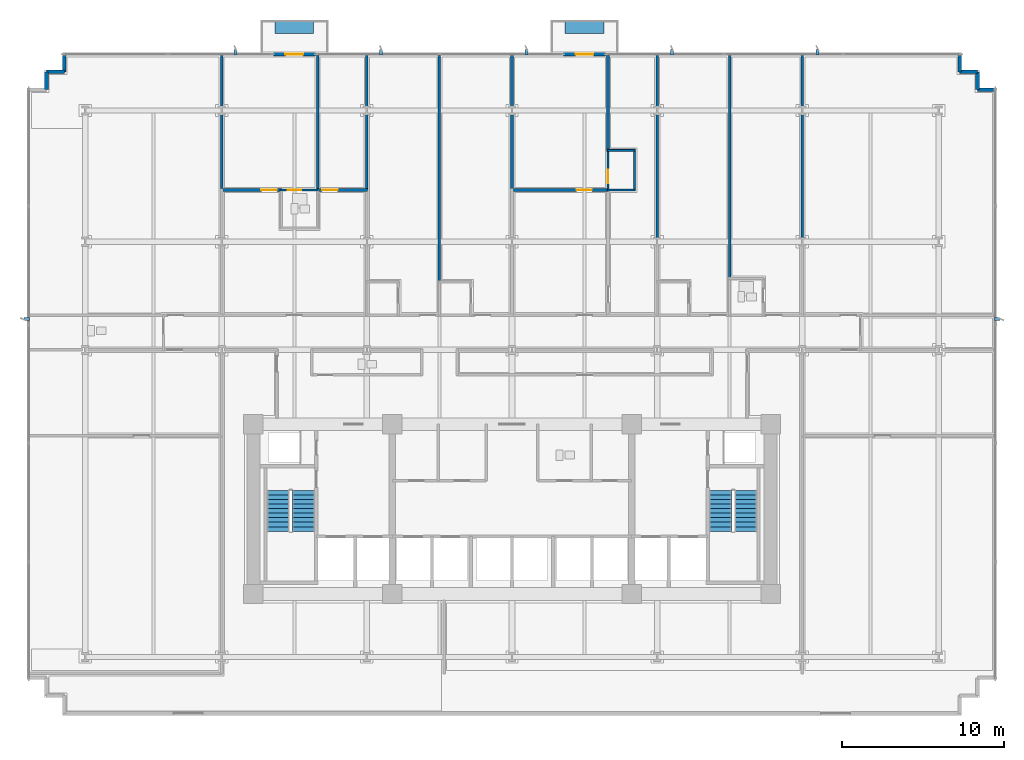
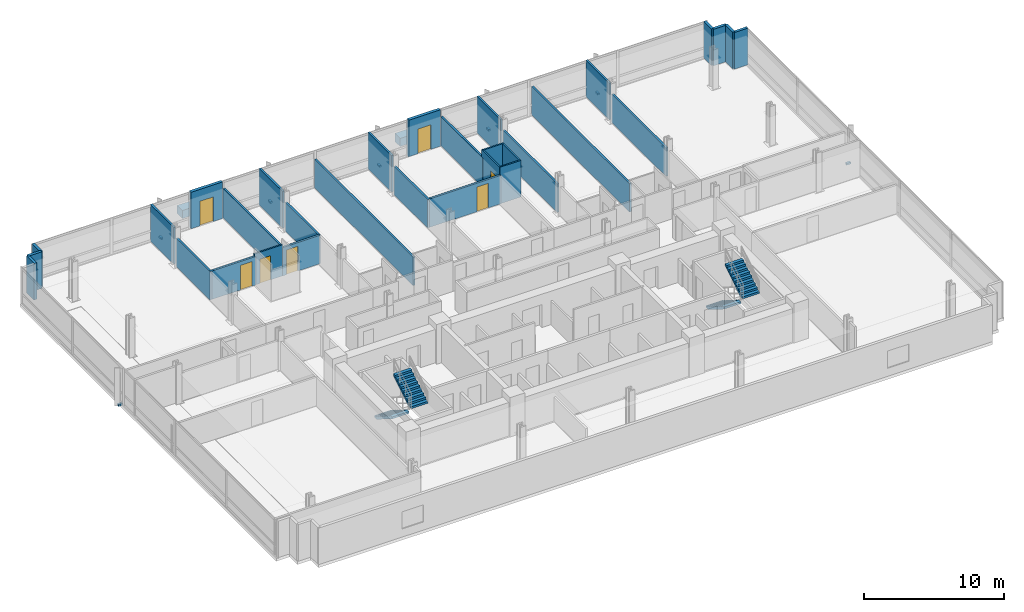
# One storey, part 11 of 16: 31 walls, 9 discrete accessories, 7 doors, 4 stair flights, 7 openings, 2 elements without a shape of their own.
"""IFC4 building model written with IfcOpenShell, lengths in metres."""

from ifc_helpers import new_model, si_unit, direction, frame, frame_2d, origin, origin_2d, place, context, subcontext, project, spatial, polyline, rectangle, outline, extrude, material, layer, layer_set, type_object, element, fill, aggregate, save


model = new_model("IFC4")

# Units and contexts
model_context = context("Model", 3, precision=1e-05, world=origin(), true_north=direction((0.0, 1.0)))
body_context = subcontext(model_context, "Body", "Model", "MODEL_VIEW")
ifc_project = project(units=[si_unit("LENGTHUNIT", "METRE"), si_unit("AREAUNIT", "SQUARE_METRE"), si_unit("VOLUMEUNIT", "CUBIC_METRE"), si_unit("PLANEANGLEUNIT", "RADIAN"), si_unit("MASSUNIT", "GRAM", prefix="KILO")], contexts=[model_context])

# Site, building, storey
site_placement = place(None, origin())
site = spatial("IfcSite", under=ifc_project, at=site_placement, CompositionType="ELEMENT")
building_placement = place(site_placement, origin())
building = spatial("IfcBuilding", under=site, at=building_placement, Name="Solmavex Isthmus Hotel", CompositionType="ELEMENT")
storey_placement = place(building_placement, frame((0.0, 0.0, 67.800048828125)))
storey = spatial("IfcBuildingStorey", under=building, at=storey_placement, Name="L18", CompositionType="ELEMENT", Elevation=67.800048828125)

# Wall, opening, door
ifc_material_1 = material(Name="Precast Concrete C40/50", Category="concrete")
ifc_layer_1 = layer(ifc_material_1, 0.25)
ifc_layer_set_1 = layer_set([ifc_layer_1], Name="Precast Concrete C40/50")
wall_type_1 = type_object("IfcWallType", Name="EW-TWR-250", PredefinedType="STANDARD", material=ifc_layer_set_1)
wall_1_placement = place(storey_placement, frame((-14.763916015625, 20.3798828125, 0.0), z_axis=(0.0, 0.0, 1.0), x_axis=(1.0, 0.0, 0.0)))
wall_1 = element("IfcWall", 1, at=wall_1_placement, inside=storey, type_object=wall_type_1, Name="Exterior Balcony Door Wall L18-2", PredefinedType="STANDARD", context=body_context, shape_type="SweptSolid", body=[
    extrude(rectangle(XDim=2.599853515625, YDim=0.239990234375, at=frame_2d((1.2998046875, 0.0))), origin(), (0.0, 0.0, 1.0), 3.18994140625),
])
opening_1_placement = place(wall_1_placement, frame((0.75, 0.0, 0.0)))
opening_1 = element("IfcOpeningElement", 2, at=opening_1_placement, cuts=wall_1, Name="Opening ED-02", PredefinedType="OPENING", context=body_context, shape_type="SweptSolid", body=[
    extrude(rectangle(XDim=1.10009765625, YDim=2.14990234375, at=frame_2d((0.550048828125, 1.074951171875))), frame((0.0, 0.1298828125, 0.0), z_axis=(0.0, -1.0, 0.0), x_axis=(1.0, 0.0, 0.0)), (0.0, 0.0, 1.0), 0.260009765625),
])
ifc_material_2 = material(Name="Aluminium alloy 6063-T6", Category="aluminium")
door_type_1 = type_object("IfcDoorType", Name="EDR-BALC-1100", OperationType="NOTDEFINED", PredefinedType="DOOR", material=ifc_material_2)
door_1_placement = place(opening_1_placement, origin())
door_1 = element("IfcDoor", 3, at=door_1_placement, inside=storey, type_object=door_type_1, Name="Balcony & Terrace Glazed Door L18-2", OperationType="SINGLE_SWING_RIGHT", OverallHeight=2.14990234375, OverallWidth=1.10009765625, PredefinedType="DOOR", context=body_context, shape_type="SweptSolid", body=[
    extrude(rectangle(XDim=1.10009765625, YDim=2.14990234375, at=frame_2d((0.550048828125, 1.074951171875))), frame((0.0, 0.02490234375, 0.0), z_axis=(0.0, -1.0, 0.0), x_axis=(1.0, 0.0, 0.0)), (0.0, 0.0, 1.0), 0.050048828125),
])
fill(opening_1, door_1)

wall_2_placement = place(storey_placement, frame((3.18798828125, 20.3798828125, 0.0), z_axis=(0.0, 0.0, 1.0), x_axis=(1.0, 0.0, 0.0)))
wall_2 = element("IfcWall", 4, at=wall_2_placement, inside=storey, type_object=wall_type_1, Name="Exterior Balcony Door Wall L18-3", PredefinedType="STANDARD", context=body_context, shape_type="SweptSolid", body=[
    extrude(rectangle(XDim=2.60009765625, YDim=0.239990234375, at=frame_2d((1.300048828125, 0.0))), origin(), (0.0, 0.0, 1.0), 3.18994140625),
])
opening_2_placement = place(wall_2_placement, frame((0.75, 0.0, 0.0)))
opening_2 = element("IfcOpeningElement", 5, at=opening_2_placement, cuts=wall_2, Name="Opening ED-02", PredefinedType="OPENING", context=body_context, shape_type="SweptSolid", body=[
    extrude(rectangle(XDim=1.10009765625, YDim=2.14990234375, at=frame_2d((0.550048828125, 1.074951171875))), frame((0.0, 0.1298828125, 0.0), z_axis=(0.0, -1.0, 0.0), x_axis=(1.0, 0.0, 0.0)), (0.0, 0.0, 1.0), 0.260009765625),
])
door_2_placement = place(opening_2_placement, origin())
door_2 = element("IfcDoor", 6, at=door_2_placement, inside=storey, type_object=door_type_1, Name="Balcony & Terrace Glazed Door L18-3", OperationType="SINGLE_SWING_LEFT", OverallHeight=2.14990234375, OverallWidth=1.10009765625, PredefinedType="DOOR", context=body_context, shape_type="SweptSolid", body=[
    extrude(rectangle(XDim=1.10009765625, YDim=2.14990234375, at=frame_2d((0.550048828125, 1.074951171875))), frame((0.0, 0.02490234375, 0.0), z_axis=(0.0, -1.0, 0.0), x_axis=(1.0, 0.0, 0.0)), (0.0, 0.0, 1.0), 0.050048828125),
])
fill(opening_2, door_2)

# Walls
for number, where, z_axis, x_axis, name in (
    (7, (-28.7900390625, 18.18994140625, 0.0), (0.0, 0.0, 1.0), (0.0, 1.0, 0.0), "Serrated Corner Facade Panel L18-07"),
    (8, (-28.7900390625, 19.2900390625, 0.0), (0.0, 0.0, 1.0), (1.0, 0.0, 0.0), "Serrated Corner Facade Panel L18-08"),
):
    element("IfcWall", number, at=place(storey_placement, frame(where, z_axis=z_axis, x_axis=x_axis)), inside=storey, type_object=wall_type_1, Name=name, PredefinedType="STANDARD", context=body_context, shape_type="SweptSolid", body=[
        extrude(rectangle(XDim=1.10009765625, YDim=0.219970703125, at=frame_2d((0.550048828125, 0.0))), origin(), (0.0, 0.0, 1.0), 3.18994140625),
    ])
for number, where, z_axis, x_axis, name in (
    (9, (-27.68994140625, 19.2900390625, 0.0), (0.0, 0.0, 1.0), (0.0, 1.0, 0.0), "Serrated Corner Facade Panel L18-09"),
    (10, (27.68994140625, 20.389892578125, 0.0), (0.0, 0.0, 1.0), (0.0, -1.0, 0.0), "Serrated Corner Facade Panel L18-11"),
):
    element("IfcWall", number, at=place(storey_placement, frame(where, z_axis=z_axis, x_axis=x_axis)), inside=storey, type_object=wall_type_1, Name=name, PredefinedType="STANDARD", context=body_context, shape_type="SweptSolid", body=[
        extrude(rectangle(XDim=1.099853515625, YDim=0.219970703125, at=frame_2d((0.5498046875, 0.0))), origin(), (0.0, 0.0, 1.0), 3.18994140625),
    ])
for number, where, z_axis, x_axis, name in (
    (11, (27.68994140625, 19.2900390625, 0.0), (0.0, 0.0, 1.0), (1.0, 0.0, 0.0), "Serrated Corner Facade Panel L18-12"),
    (12, (28.7900390625, 19.2900390625, 0.0), (0.0, 0.0, 1.0), (0.0, -1.0, 0.0), "Serrated Corner Facade Panel L18-13"),
):
    element("IfcWall", number, at=place(storey_placement, frame(where, z_axis=z_axis, x_axis=x_axis)), inside=storey, type_object=wall_type_1, Name=name, PredefinedType="STANDARD", context=body_context, shape_type="SweptSolid", body=[
        extrude(rectangle(XDim=1.10009765625, YDim=0.219970703125, at=frame_2d((0.550048828125, 0.0))), origin(), (0.0, 0.0, 1.0), 3.18994140625),
    ])
wall_3_placement = place(storey_placement, frame((28.7900390625, 18.18994140625, 0.0), z_axis=(0.0, 0.0, 1.0), x_axis=(1.0, 0.0, 0.0)))
element("IfcWall", 13, at=wall_3_placement, inside=storey, type_object=wall_type_1, Name="Serrated Corner Facade Panel L18-14", PredefinedType="STANDARD", context=body_context, shape_type="SweptSolid", body=[
    extrude(rectangle(XDim=1.099853515625, YDim=0.219970703125, at=frame_2d((0.5498046875, 0.0))), origin(), (0.0, 0.0, 1.0), 3.18994140625),
])
ifc_material_3 = material(Name="Gypsum plasterboard lining", Category="gypsum")
ifc_layer_2 = layer(ifc_material_3, 0.159912109375)
ifc_layer_set_2 = layer_set([ifc_layer_2], Name="Gypsum plasterboard lining")
wall_type_2 = type_object("IfcWallType", Name="IW-COMP-160", PredefinedType="PARTITIONING", material=ifc_layer_set_2)
wall_4_placement = place(storey_placement, frame((-17.951904296875, 16.72509765625, 0.0), z_axis=(0.0, 0.0, 1.0), x_axis=(0.0, -1.0, 0.0)))
element("IfcWall", 14, at=wall_4_placement, inside=storey, type_object=wall_type_2, Name="Interior Partition Wall W-L18-P038", PredefinedType="PARTITIONING", context=body_context, shape_type="SweptSolid", body=[
    extrude(rectangle(XDim=4.819091796875, YDim=0.159912109375, at=frame_2d((2.40966796875, 0.0))), origin(), (0.0, 0.0, 1.0), 2.4794921875),
])
wall_5_placement = place(storey_placement, frame((-17.951904296875, 20.419921875, 0.0), z_axis=(0.0, 0.0, 1.0), x_axis=(0.0, -1.0, 0.0)))
element("IfcWall", 15, at=wall_5_placement, inside=storey, type_object=wall_type_2, Name="Interior Partition Wall W-L18-P039", PredefinedType="PARTITIONING", context=body_context, shape_type="SweptSolid", body=[
    extrude(rectangle(XDim=3.344970703125, YDim=0.159912109375, at=frame_2d((1.67236328125, 0.0))), origin(), (0.0, 0.0, 1.0), 3.18994140625),
])

# Wall, opening, door
wall_6_placement = place(storey_placement, frame((-17.991943359375, 11.988037109375, 0.0), z_axis=(0.0, 0.0, 1.0), x_axis=(1.0, 0.0, 0.0)))
wall_6 = element("IfcWall", 16, at=wall_6_placement, inside=storey, type_object=wall_type_2, Name="Interior Partition Wall W-L18-P041", PredefinedType="PARTITIONING", context=body_context, shape_type="SweptSolid", body=[
    extrude(rectangle(XDim=3.767822265625, YDim=0.159912109375, at=frame_2d((1.8837890625, 0.0))), origin(), (0.0, 0.0, 1.0), 2.4794921875),
])
opening_3_placement = place(wall_6_placement, frame((2.493408203125, 0.0, 0.0)))
opening_3 = element("IfcOpeningElement", 17, at=opening_3_placement, cuts=wall_6, Name="Opening ID-C095", PredefinedType="OPENING", context=body_context, shape_type="SweptSolid", body=[
    extrude(rectangle(XDim=0.949951171875, YDim=2.14990234375, at=frame_2d((0.47509765625, 1.074951171875))), frame((0.0, 0.08984375, 0.0), z_axis=(0.0, -1.0, 0.0), x_axis=(1.0, 0.0, 0.0)), (0.0, 0.0, 1.0), 0.179931640625),
])
ifc_material_4 = material(Name="Hardwood timber", Category="wood")
door_type_2 = type_object("IfcDoorType", Name="IDR-FD60-0950", OperationType="NOTDEFINED", PredefinedType="DOOR", material=ifc_material_4)
door_3_placement = place(opening_3_placement, origin())
door_3 = element("IfcDoor", 18, at=door_3_placement, inside=storey, type_object=door_type_2, Name="Ambassador Suite Bedroom Door L18-03", OperationType="SINGLE_SWING_LEFT", OverallHeight=2.14990234375, OverallWidth=0.949951171875, PredefinedType="DOOR", context=body_context, shape_type="SweptSolid", body=[
    extrude(rectangle(XDim=0.949951171875, YDim=2.14990234375, at=frame_2d((0.47509765625, 1.074951171875))), frame((0.0, 0.02490234375, 0.0), z_axis=(0.0, -1.0, 0.0), x_axis=(1.0, 0.0, 0.0)), (0.0, 0.0, 1.0), 0.050048828125),
])
fill(opening_3, door_3)

wall_7_placement = place(storey_placement, frame((-12.053955078125, 11.988037109375, 0.0), z_axis=(0.0, 0.0, 1.0), x_axis=(1.0, 0.0, 0.0)))
wall_7 = element("IfcWall", 19, at=wall_7_placement, inside=storey, type_object=wall_type_2, Name="Interior Partition Wall W-L18-P042", PredefinedType="PARTITIONING", context=body_context, shape_type="SweptSolid", body=[
    extrude(rectangle(XDim=3.117919921875, YDim=0.159912109375, at=frame_2d((1.55908203125, 0.0))), origin(), (0.0, 0.0, 1.0), 2.4794921875),
])
opening_4_placement = place(wall_7_placement, frame((0.318359375, 0.0, 0.0)))
opening_4 = element("IfcOpeningElement", 20, at=opening_4_placement, cuts=wall_7, Name="Opening ID-C095", PredefinedType="OPENING", context=body_context, shape_type="SweptSolid", body=[
    extrude(rectangle(XDim=0.949951171875, YDim=2.14990234375, at=frame_2d((0.47509765625, 1.074951171875))), frame((0.0, 0.08984375, 0.0), z_axis=(0.0, -1.0, 0.0), x_axis=(1.0, 0.0, 0.0)), (0.0, 0.0, 1.0), 0.179931640625),
])
door_4_placement = place(opening_4_placement, origin())
door_4 = element("IfcDoor", 21, at=door_4_placement, inside=storey, type_object=door_type_2, Name="Ambassador Suite Sitting Lounge Door L18-04", OperationType="SINGLE_SWING_RIGHT", OverallHeight=2.14990234375, OverallWidth=0.949951171875, PredefinedType="DOOR", context=body_context, shape_type="SweptSolid", body=[
    extrude(rectangle(XDim=0.949951171875, YDim=2.14990234375, at=frame_2d((0.47509765625, 1.074951171875))), frame((0.0, 0.02490234375, 0.0), z_axis=(0.0, -1.0, 0.0), x_axis=(1.0, 0.0, 0.0)), (0.0, 0.0, 1.0), 0.050048828125),
])
fill(opening_4, door_4)

# Walls
wall_8_placement = place(storey_placement, frame((-12.013916015625, 20.300048828125, 0.0), z_axis=(0.0, 0.0, 1.0), x_axis=(0.0, -1.0, 0.0)))
element("IfcWall", 22, at=wall_8_placement, inside=storey, type_object=wall_type_2, Name="Interior Partition Wall W-L18-P049", PredefinedType="PARTITIONING", context=body_context, shape_type="SweptSolid", body=[
    extrude(rectangle(XDim=8.35205078125, YDim=0.159912109375, at=frame_2d((4.176025390625, 0.0))), origin(), (0.0, 0.0, 1.0), 2.55322265625),
])
wall_9_placement = place(storey_placement, frame((-8.97607421875, 16.72509765625, 0.0), z_axis=(0.0, 0.0, 1.0), x_axis=(0.0, -1.0, 0.0)))
element("IfcWall", 23, at=wall_9_placement, inside=storey, type_object=wall_type_2, Name="Interior Partition Wall W-L18-P051", PredefinedType="PARTITIONING", context=body_context, shape_type="SweptSolid", body=[
    extrude(rectangle(XDim=4.777099609375, YDim=0.159912109375, at=frame_2d((2.388671875, 0.0))), origin(), (0.0, 0.0, 1.0), 2.4794921875),
])
wall_10_placement = place(storey_placement, frame((-8.97607421875, 20.419921875, 0.0), z_axis=(0.0, 0.0, 1.0), x_axis=(0.0, -1.0, 0.0)))
element("IfcWall", 24, at=wall_10_placement, inside=storey, type_object=wall_type_2, Name="Interior Partition Wall W-L18-P052", PredefinedType="PARTITIONING", context=body_context, shape_type="SweptSolid", body=[
    extrude(rectangle(XDim=3.344970703125, YDim=0.159912109375, at=frame_2d((1.67236328125, 0.0))), origin(), (0.0, 0.0, 1.0), 3.18994140625),
])
wall_11_placement = place(storey_placement, frame((-4.488037109375, 20.300048828125, 0.0), z_axis=(0.0, 0.0, 1.0), x_axis=(0.0, -1.0, 0.0)))
element("IfcWall", 25, at=wall_11_placement, inside=storey, type_object=wall_type_2, Name="Interior Partition Wall W-L18-P055", PredefinedType="PARTITIONING", context=body_context, shape_type="SweptSolid", body=[
    extrude(rectangle(XDim=14.08203125, YDim=0.159912109375, at=frame_2d((7.041015625, 0.0))), origin(), (0.0, 0.0, 1.0), 2.4794921875),
])
wall_12_placement = place(storey_placement, frame((0.0, 16.72509765625, 0.0), z_axis=(0.0, 0.0, 1.0), x_axis=(0.0, -1.0, 0.0)))
element("IfcWall", 26, at=wall_12_placement, inside=storey, type_object=wall_type_2, Name="Interior Partition Wall W-L18-P061", PredefinedType="PARTITIONING", context=body_context, shape_type="SweptSolid", body=[
    extrude(rectangle(XDim=4.819091796875, YDim=0.159912109375, at=frame_2d((2.40966796875, 0.0))), origin(), (0.0, 0.0, 1.0), 2.4794921875),
])
wall_13_placement = place(storey_placement, frame((0.0, 20.419921875, 0.0), z_axis=(0.0, 0.0, 1.0), x_axis=(0.0, -1.0, 0.0)))
element("IfcWall", 27, at=wall_13_placement, inside=storey, type_object=wall_type_2, Name="Interior Partition Wall W-L18-P062", PredefinedType="PARTITIONING", context=body_context, shape_type="SweptSolid", body=[
    extrude(rectangle(XDim=3.344970703125, YDim=0.159912109375, at=frame_2d((1.67236328125, 0.0))), origin(), (0.0, 0.0, 1.0), 3.18994140625),
])

# Wall, opening, door
wall_14_placement = place(storey_placement, frame((-0.0400390625, 11.988037109375, 0.0), z_axis=(0.0, 0.0, 1.0), x_axis=(1.0, 0.0, 0.0)))
wall_14 = element("IfcWall", 28, at=wall_14_placement, inside=storey, type_object=wall_type_2, Name="Interior Partition Wall W-L18-P063", PredefinedType="PARTITIONING", context=body_context, shape_type="SweptSolid", body=[
    extrude(rectangle(XDim=6.01806640625, YDim=0.159912109375, at=frame_2d((3.009033203125, 0.0))), origin(), (0.0, 0.0, 1.0), 2.4794921875),
])
opening_5_placement = place(wall_14_placement, frame((4.030517578125, 0.0, 0.0)))
opening_5 = element("IfcOpeningElement", 29, at=opening_5_placement, cuts=wall_14, Name="Opening ID-C095", PredefinedType="OPENING", context=body_context, shape_type="SweptSolid", body=[
    extrude(rectangle(XDim=0.949951171875, YDim=2.14990234375, at=frame_2d((0.47509765625, 1.074951171875))), frame((0.0, 0.08984375, 0.0), z_axis=(0.0, -1.0, 0.0), x_axis=(1.0, 0.0, 0.0)), (0.0, 0.0, 1.0), 0.179931640625),
])
door_5_placement = place(opening_5_placement, origin())
door_5 = element("IfcDoor", 30, at=door_5_placement, inside=storey, type_object=door_type_2, Name="Premier Suite Master Bedroom Door L18-11", OperationType="SINGLE_SWING_LEFT", OverallHeight=2.14990234375, OverallWidth=0.949951171875, PredefinedType="DOOR", context=body_context, shape_type="SweptSolid", body=[
    extrude(rectangle(XDim=0.949951171875, YDim=2.14990234375, at=frame_2d((0.47509765625, 1.074951171875))), frame((0.0, 0.02490234375, 0.0), z_axis=(0.0, -1.0, 0.0), x_axis=(1.0, 0.0, 0.0)), (0.0, 0.0, 1.0), 0.050048828125),
])
fill(opening_5, door_5)

# Walls
wall_15_placement = place(storey_placement, frame((5.93798828125, 20.300048828125, 0.0), z_axis=(0.0, 0.0, 1.0), x_axis=(0.0, -1.0, 0.0)))
element("IfcWall", 31, at=wall_15_placement, inside=storey, type_object=wall_type_2, Name="Interior Partition Wall W-L18-P065", PredefinedType="PARTITIONING", context=body_context, shape_type="SweptSolid", body=[
    extrude(rectangle(XDim=5.944091796875, YDim=0.159912109375, at=frame_2d((2.97216796875, 0.0))), origin(), (0.0, 0.0, 1.0), 2.55322265625),
])
wall_16_placement = place(storey_placement, frame((8.97607421875, 16.72509765625, 0.0), z_axis=(0.0, 0.0, 1.0), x_axis=(0.0, -1.0, 0.0)))
element("IfcWall", 32, at=wall_16_placement, inside=storey, type_object=wall_type_2, Name="Interior Partition Wall W-L18-P071", PredefinedType="PARTITIONING", context=body_context, shape_type="SweptSolid", body=[
    extrude(rectangle(XDim=7.76220703125, YDim=0.159912109375, at=frame_2d((3.881103515625, 0.0))), origin(), (0.0, 0.0, 1.0), 2.4794921875),
])
wall_17_placement = place(storey_placement, frame((8.97607421875, 20.419921875, 0.0), z_axis=(0.0, 0.0, 1.0), x_axis=(0.0, -1.0, 0.0)))
element("IfcWall", 33, at=wall_17_placement, inside=storey, type_object=wall_type_2, Name="Interior Partition Wall W-L18-P072", PredefinedType="PARTITIONING", context=body_context, shape_type="SweptSolid", body=[
    extrude(rectangle(XDim=3.344970703125, YDim=0.159912109375, at=frame_2d((1.67236328125, 0.0))), origin(), (0.0, 0.0, 1.0), 3.18994140625),
])
wall_18_placement = place(storey_placement, frame((13.464111328125, 20.419921875, 0.0), z_axis=(0.0, 0.0, 1.0), x_axis=(0.0, -1.0, 0.0)))
element("IfcWall", 34, at=wall_18_placement, inside=storey, type_object=wall_type_2, Name="Interior Partition Wall W-L18-P076", PredefinedType="PARTITIONING", context=body_context, shape_type="SweptSolid", body=[
    extrude(rectangle(XDim=14.001953125, YDim=0.159912109375, at=frame_2d((7.0009765625, 0.0))), origin(), (0.0, 0.0, 1.0), 2.4794921875),
])
wall_19_placement = place(storey_placement, frame((17.951904296875, 16.72509765625, 0.0), z_axis=(0.0, 0.0, 1.0), x_axis=(0.0, -1.0, 0.0)))
element("IfcWall", 35, at=wall_19_placement, inside=storey, type_object=wall_type_2, Name="Interior Partition Wall W-L18-P081", PredefinedType="PARTITIONING", context=body_context, shape_type="SweptSolid", body=[
    extrude(rectangle(XDim=7.76220703125, YDim=0.159912109375, at=frame_2d((3.881103515625, 0.0))), origin(), (0.0, 0.0, 1.0), 2.4794921875),
])
wall_20_placement = place(storey_placement, frame((17.951904296875, 20.419921875, 0.0), z_axis=(0.0, 0.0, 1.0), x_axis=(0.0, -1.0, 0.0)))
element("IfcWall", 36, at=wall_20_placement, inside=storey, type_object=wall_type_2, Name="Interior Partition Wall W-L18-P082", PredefinedType="PARTITIONING", context=body_context, shape_type="SweptSolid", body=[
    extrude(rectangle(XDim=3.344970703125, YDim=0.159912109375, at=frame_2d((1.67236328125, 0.0))), origin(), (0.0, 0.0, 1.0), 3.18994140625),
])

# Wall, opening, door
ifc_layer_3 = layer(ifc_material_3, 0.1201171875)
ifc_layer_set_3 = layer_set([ifc_layer_3], Name="Gypsum plasterboard lining")
wall_type_3 = type_object("IfcWallType", Name="IW-PART-120", PredefinedType="PARTITIONING", material=ifc_layer_set_3)
wall_21_placement = place(storey_placement, frame((-11.97412109375, 11.988037109375, 0.0), z_axis=(0.0, 0.0, 1.0), x_axis=(-1.0, 0.0, 0.0)))
wall_21 = element("IfcWall", 37, at=wall_21_placement, inside=storey, type_object=wall_type_3, Name="Interior Partition Wall W-L18-P050", PredefinedType="PARTITIONING", context=body_context, shape_type="SweptSolid", body=[
    extrude(rectangle(XDim=2.371826171875, YDim=0.1201171875, at=frame_2d((1.18603515625, 0.0))), origin(), (0.0, 0.0, 1.0), 2.718017578125),
])
opening_6_placement = place(wall_21_placement, frame((1.0498046875, 0.0, 0.0)))
opening_6 = element("IfcOpeningElement", 38, at=opening_6_placement, cuts=wall_21, Name="Opening ID-U085", PredefinedType="OPENING", context=body_context, shape_type="SweptSolid", body=[
    extrude(rectangle(XDim=0.85009765625, YDim=2.10009765625, at=frame_2d((0.425048828125, 1.050048828125))), frame((0.0, 0.070068359375, 0.0), z_axis=(0.0, -1.0, 0.0), x_axis=(1.0, 0.0, 0.0)), (0.0, 0.0, 1.0), 0.14013671875),
])
door_type_3 = type_object("IfcDoorType", Name="IDR-UNR-0850", OperationType="NOTDEFINED", PredefinedType="DOOR", material=ifc_material_4)
door_6_placement = place(opening_6_placement, frame((0.85009765625, 0.0, 0.0), z_axis=(0.0, 0.0, 1.0), x_axis=(-1.0, 0.0, 0.0)))
door_6 = element("IfcDoor", 39, at=door_6_placement, inside=storey, type_object=door_type_3, Name="En-suite Bathroom Door L18-05", OperationType="SINGLE_SWING_LEFT", OverallHeight=2.10009765625, OverallWidth=0.85009765625, PredefinedType="DOOR", context=body_context, shape_type="SweptSolid", body=[
    extrude(rectangle(XDim=0.85009765625, YDim=2.10009765625, at=frame_2d((0.425048828125, 1.050048828125))), frame((0.0, 0.02490234375, 0.0), z_axis=(0.0, -1.0, 0.0), x_axis=(1.0, 0.0, 0.0)), (0.0, 0.0, 1.0), 0.050048828125),
])
fill(opening_6, door_6)

wall_22_placement = place(storey_placement, frame((5.93798828125, 14.52001953125, 0.0), z_axis=(0.0, 0.0, 1.0), x_axis=(0.0, -1.0, 0.0)))
wall_22 = element("IfcWall", 40, at=wall_22_placement, inside=storey, type_object=wall_type_3, Name="Interior Partition Wall W-L18-P066", PredefinedType="PARTITIONING", context=body_context, shape_type="SweptSolid", body=[
    extrude(rectangle(XDim=2.572021484375, YDim=0.1201171875, at=frame_2d((1.2861328125, 0.0))), origin(), (0.0, 0.0, 1.0), 3.18994140625),
])
opening_7_placement = place(wall_22_placement, frame((1.27978515625, 0.0, 0.0)))
opening_7 = element("IfcOpeningElement", 41, at=opening_7_placement, cuts=wall_22, Name="Opening ID-U085", PredefinedType="OPENING", context=body_context, shape_type="SweptSolid", body=[
    extrude(rectangle(XDim=0.85009765625, YDim=2.10009765625, at=frame_2d((0.425048828125, 1.050048828125))), frame((0.0, 0.070068359375, 0.0), z_axis=(0.0, -1.0, 0.0), x_axis=(1.0, 0.0, 0.0)), (0.0, 0.0, 1.0), 0.14013671875),
])
door_7_placement = place(opening_7_placement, frame((0.85009765625, 0.0, 0.0), z_axis=(0.0, 0.0, 1.0), x_axis=(-1.0, 0.0, 0.0)))
door_7 = element("IfcDoor", 42, at=door_7_placement, inside=storey, type_object=door_type_3, Name="En-suite Bathroom Door L18-13", OperationType="SINGLE_SWING_LEFT", OverallHeight=2.10009765625, OverallWidth=0.85009765625, PredefinedType="DOOR", context=body_context, shape_type="SweptSolid", body=[
    extrude(rectangle(XDim=0.85009765625, YDim=2.10009765625, at=frame_2d((0.425048828125, 1.050048828125))), frame((0.0, 0.02490234375, 0.0), z_axis=(0.0, -1.0, 0.0), x_axis=(1.0, 0.0, 0.0)), (0.0, 0.0, 1.0), 0.050048828125),
])
fill(opening_7, door_7)

# Walls
wall_23_placement = place(storey_placement, frame((5.89794921875, 11.988037109375, 0.0), z_axis=(0.0, 0.0, 1.0), x_axis=(1.0, 0.0, 0.0)))
element("IfcWall", 43, at=wall_23_placement, inside=storey, type_object=wall_type_3, Name="Interior Partition Wall W-L18-P067", PredefinedType="PARTITIONING", context=body_context, shape_type="SweptSolid", body=[
    extrude(rectangle(XDim=1.718017578125, YDim=0.1201171875, at=frame_2d((0.85888671875, 0.0))), origin(), (0.0, 0.0, 1.0), 3.18994140625),
])
wall_24_placement = place(storey_placement, frame((7.575927734375, 11.947998046875, 0.0), z_axis=(0.0, 0.0, 1.0), x_axis=(0.0, 1.0, 0.0)))
element("IfcWall", 44, at=wall_24_placement, inside=storey, type_object=wall_type_3, Name="Interior Partition Wall W-L18-P068", PredefinedType="PARTITIONING", context=body_context, shape_type="SweptSolid", body=[
    extrude(rectangle(XDim=2.530029296875, YDim=0.1201171875, at=frame_2d((1.26513671875, 0.0))), origin(), (0.0, 0.0, 1.0), 3.18994140625),
])
wall_25_placement = place(storey_placement, frame((7.615966796875, 14.43798828125, 0.0), z_axis=(0.0, 0.0, 1.0), x_axis=(-1.0, 0.0, 0.0)))
element("IfcWall", 45, at=wall_25_placement, inside=storey, type_object=wall_type_3, Name="Interior Partition Wall W-L18-P069", PredefinedType="PARTITIONING", context=body_context, shape_type="SweptSolid", body=[
    extrude(rectangle(XDim=1.718017578125, YDim=0.1201171875, at=frame_2d((0.85888671875, 0.0))), origin(), (0.0, 0.0, 1.0), 3.18994140625),
])

# Stair, stair flights
ifc_material_5 = material(Name="Concrete C40/50", Category="concrete")
stair_type_1 = type_object("IfcStairType", Name="STR-ST-1", PredefinedType="HALF_TURN_STAIR", material=ifc_material_5)
stair_1_placement = place(storey_placement, origin())
stair_1 = element("IfcStair", 46, at=stair_1_placement, inside=storey, type_object=stair_type_1, Name="L18 Protected Exit Stair ST-1", PredefinedType="HALF_TURN_STAIR")
stair_flight_type_1 = type_object("IfcStairFlightType", Name="SFL-ST-1", PredefinedType="STRAIGHT", material=ifc_material_5)
stair_flight_1_placement = place(storey_placement, frame((-14.449951171875, -6.60009765625, 0.0), z_axis=(0.0, 0.0, 1.0), x_axis=(0.0, -1.0, 0.0)))
stair_flight_1 = element("IfcStairFlight", 47, at=stair_flight_1_placement, type_object=stair_flight_type_1, Name="ST-1 flight 1", NumberOfRisers=10, NumberOfTreads=9, PredefinedType="STRAIGHT", RiserHeight=0.1725, TreadLength=0.28, context=body_context, shape_type="SweptSolid", body=[
    extrude(outline(polyline([(0.0, 0.0), (0.0, 0.172607421875), (0.280029296875, 0.172607421875), (0.280029296875, 0.344970703125), (0.56005859375, 0.344970703125), (0.56005859375, 0.517578125), (0.840087890625, 0.517578125), (0.840087890625, 0.68994140625), (1.1201171875, 0.68994140625), (1.1201171875, 0.862548828125), (1.39990234375, 0.862548828125), (1.39990234375, 1.034912109375), (1.679931640625, 1.034912109375), (1.679931640625, 1.20751953125), (1.9599609375, 1.20751953125), (1.9599609375, 1.3798828125), (2.239990234375, 1.3798828125), (2.239990234375, 1.552490234375), (2.52001953125, 1.552490234375), (2.52001953125, 1.72509765625), (2.52001953125, 1.37646484375), (0.285888671875, 0.0), (0.0, 0.0)])), frame((0.0, 0.699951171875, 0.0), z_axis=(0.0, -1.0, 0.0), x_axis=(1.0, 0.0, 0.0)), (0.0, 0.0, 1.0), 1.39990234375),
])
stair_flight_2_placement = place(storey_placement, frame((-12.89990234375, -9.1201171875, 1.724853515625), z_axis=(0.0, 0.0, 1.0), x_axis=(0.0, 1.0, 0.0)))
stair_flight_2 = element("IfcStairFlight", 48, at=stair_flight_2_placement, type_object=stair_flight_type_1, Name="ST-1 flight 2", NumberOfRisers=10, NumberOfTreads=9, PredefinedType="STRAIGHT", RiserHeight=0.1725, TreadLength=0.28, context=body_context, shape_type="SweptSolid", body=[
    extrude(outline(polyline([(0.0, 0.0), (0.0, 0.172607421875), (0.280029296875, 0.172607421875), (0.280029296875, 0.344970703125), (0.56005859375, 0.344970703125), (0.56005859375, 0.517578125), (0.840087890625, 0.517578125), (0.840087890625, 0.68994140625), (1.1201171875, 0.68994140625), (1.1201171875, 0.862548828125), (1.39990234375, 0.862548828125), (1.39990234375, 1.034912109375), (1.679931640625, 1.034912109375), (1.679931640625, 1.20751953125), (1.9599609375, 1.20751953125), (1.9599609375, 1.3798828125), (2.239990234375, 1.3798828125), (2.239990234375, 1.552490234375), (2.52001953125, 1.552490234375), (2.52001953125, 1.72509765625), (2.52001953125, 1.37646484375), (0.285888671875, 0.0), (0.0, 0.0)])), frame((0.0, 0.699951171875, 0.0), z_axis=(0.0, -1.0, 0.0), x_axis=(1.0, 0.0, 0.0)), (0.0, 0.0, 1.0), 1.39990234375),
])
aggregate(stair_1, [stair_flight_1, stair_flight_2])

stair_type_2 = type_object("IfcStairType", Name="STR-ST-2", PredefinedType="HALF_TURN_STAIR", material=ifc_material_5)
stair_2_placement = place(storey_placement, origin())
stair_2 = element("IfcStair", 49, at=stair_2_placement, inside=storey, type_object=stair_type_2, Name="L18 Protected Exit Stair ST-2", PredefinedType="HALF_TURN_STAIR")
stair_flight_type_2 = type_object("IfcStairFlightType", Name="SFL-ST-2", PredefinedType="STRAIGHT", material=ifc_material_5)
stair_flight_3_placement = place(storey_placement, frame((12.89990234375, -6.60009765625, 0.0), z_axis=(0.0, 0.0, 1.0), x_axis=(0.0, -1.0, 0.0)))
stair_flight_3 = element("IfcStairFlight", 50, at=stair_flight_3_placement, type_object=stair_flight_type_2, Name="ST-2 flight 1", NumberOfRisers=10, NumberOfTreads=9, PredefinedType="STRAIGHT", RiserHeight=0.1725, TreadLength=0.28, context=body_context, shape_type="SweptSolid", body=[
    extrude(outline(polyline([(0.0, 0.0), (0.0, 0.172607421875), (0.280029296875, 0.172607421875), (0.280029296875, 0.344970703125), (0.56005859375, 0.344970703125), (0.56005859375, 0.517578125), (0.840087890625, 0.517578125), (0.840087890625, 0.68994140625), (1.1201171875, 0.68994140625), (1.1201171875, 0.862548828125), (1.39990234375, 0.862548828125), (1.39990234375, 1.034912109375), (1.679931640625, 1.034912109375), (1.679931640625, 1.20751953125), (1.9599609375, 1.20751953125), (1.9599609375, 1.3798828125), (2.239990234375, 1.3798828125), (2.239990234375, 1.552490234375), (2.52001953125, 1.552490234375), (2.52001953125, 1.72509765625), (2.52001953125, 1.37646484375), (0.285888671875, 0.0), (0.0, 0.0)])), frame((0.0, 0.699951171875, 0.0), z_axis=(0.0, -1.0, 0.0), x_axis=(1.0, 0.0, 0.0)), (0.0, 0.0, 1.0), 1.39990234375),
])
stair_flight_4_placement = place(storey_placement, frame((14.449951171875, -9.1201171875, 1.724853515625), z_axis=(0.0, 0.0, 1.0), x_axis=(0.0, 1.0, 0.0)))
stair_flight_4 = element("IfcStairFlight", 51, at=stair_flight_4_placement, type_object=stair_flight_type_2, Name="ST-2 flight 2", NumberOfRisers=10, NumberOfTreads=9, PredefinedType="STRAIGHT", RiserHeight=0.1725, TreadLength=0.28, context=body_context, shape_type="SweptSolid", body=[
    extrude(outline(polyline([(0.0, 0.0), (0.0, 0.172607421875), (0.280029296875, 0.172607421875), (0.280029296875, 0.344970703125), (0.56005859375, 0.344970703125), (0.56005859375, 0.517578125), (0.840087890625, 0.517578125), (0.840087890625, 0.68994140625), (1.1201171875, 0.68994140625), (1.1201171875, 0.862548828125), (1.39990234375, 0.862548828125), (1.39990234375, 1.034912109375), (1.679931640625, 1.034912109375), (1.679931640625, 1.20751953125), (1.9599609375, 1.20751953125), (1.9599609375, 1.3798828125), (2.239990234375, 1.3798828125), (2.239990234375, 1.552490234375), (2.52001953125, 1.552490234375), (2.52001953125, 1.72509765625), (2.52001953125, 1.37646484375), (0.285888671875, 0.0), (0.0, 0.0)])), frame((0.0, 0.699951171875, 0.0), z_axis=(0.0, -1.0, 0.0), x_axis=(1.0, 0.0, 0.0)), (0.0, 0.0, 1.0), 1.39990234375),
])
aggregate(stair_2, [stair_flight_3, stair_flight_4])

# Discrete accessories
ifc_material_6 = material(Name="Steel ASTM A572 Grade 50", Category="steel")
discrete_accessory_type_1 = type_object("IfcDiscreteAccessoryType", Name="ACC-BRK-FIN", PredefinedType="BRACKET", material=ifc_material_6)
for number, where, z_axis, x_axis, name in (
    (52, (-17.10009765625, 20.52001953125, -0.169921875), (0.0, 0.0, 1.0), (0.0, 1.0, 0.0), "Facade Fin Support Bracket L18-N1"),
    (53, (-8.10009765625, 20.52001953125, -0.169921875), (0.0, 0.0, 1.0), (0.0, 1.0, 0.0), "Facade Fin Support Bracket L18-N2"),
    (54, (0.89990234375, 20.52001953125, -0.169921875), (0.0, 0.0, 1.0), (0.0, 1.0, 0.0), "Facade Fin Support Bracket L18-N3"),
    (55, (9.89990234375, 20.52001953125, -0.169921875), (0.0, 0.0, 1.0), (0.0, 1.0, 0.0), "Facade Fin Support Bracket L18-N4"),
    (56, (18.89990234375, 20.52001953125, -0.169921875), (0.0, 0.0, 1.0), (0.0, 1.0, 0.0), "Facade Fin Support Bracket L18-N5"),
    (57, (-30.02001953125, 4.0, -0.169921875), (0.0, 0.0, 1.0), (-1.0, 0.0, 0.0), "Facade Fin Support Bracket L18-W1"),
    (58, (30.02001953125, 4.0, -0.169921875), (0.0, 0.0, 1.0), (1.0, 0.0, 0.0), "Facade Fin Support Bracket L18-E1"),
):
    element("IfcDiscreteAccessory", number, at=place(storey_placement, frame(where, z_axis=z_axis, x_axis=x_axis)), inside=storey, type_object=discrete_accessory_type_1, Name=name, PredefinedType="BRACKET", context=body_context, shape_type="SweptSolid", body=[
        extrude(rectangle(XDim=0.340087890625, YDim=0.179931640625, at=origin_2d()), origin(), (0.0, 0.0, 1.0), 0.159912109375),
    ])
discrete_accessory_type_2 = type_object("IfcDiscreteAccessoryType", Name="ACC-PLN-BALC", PredefinedType="USERDEFINED", material=ifc_material_1)
for number, where, z_axis, x_axis, name in (
    (59, (-13.464111328125, 22.050048828125, 0.0), (0.0, 0.0, 1.0), (1.0, 0.0, 0.0), "Tree-Balcony Architectural Planter L18-B1"),
    (60, (4.488037109375, 22.050048828125, 0.0), (0.0, 0.0, 1.0), (1.0, 0.0, 0.0), "Tree-Balcony Architectural Planter L18-B2"),
):
    element("IfcDiscreteAccessory", number, at=place(storey_placement, frame(where, z_axis=z_axis, x_axis=x_axis)), inside=storey, type_object=discrete_accessory_type_2, Name=name, ObjectType="PLANTER", PredefinedType="USERDEFINED", context=body_context, shape_type="SweptSolid", body=[
        extrude(rectangle(XDim=2.39990234375, YDim=0.75, at=origin_2d()), origin(), (0.0, 0.0, 1.0), 0.699951171875),
    ])

save(model, "model.ifc")
